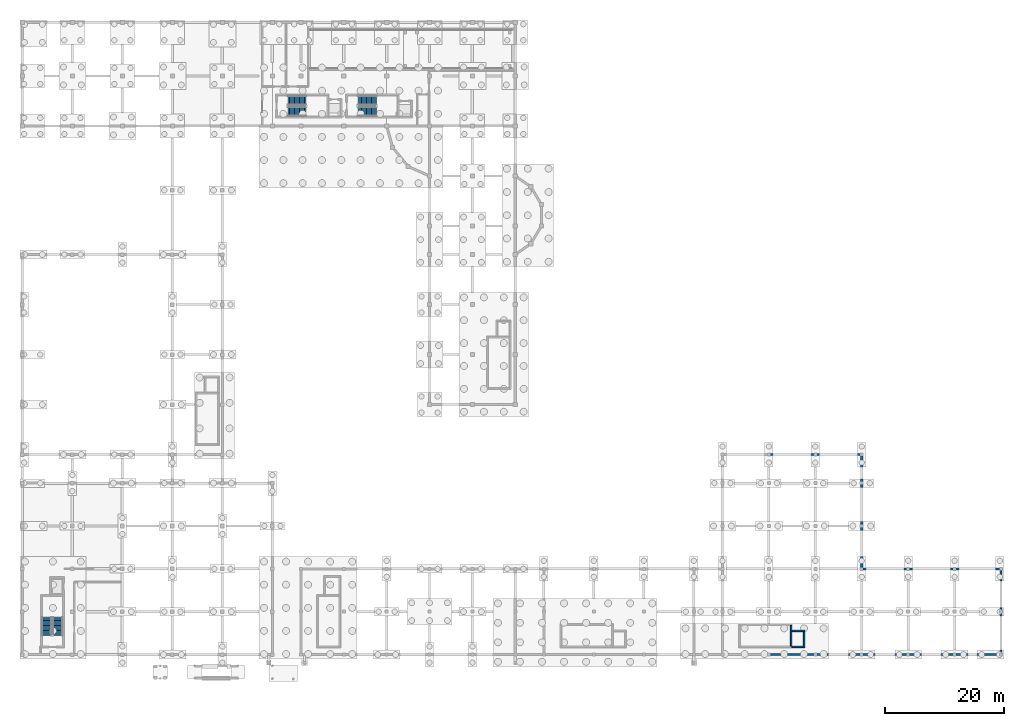
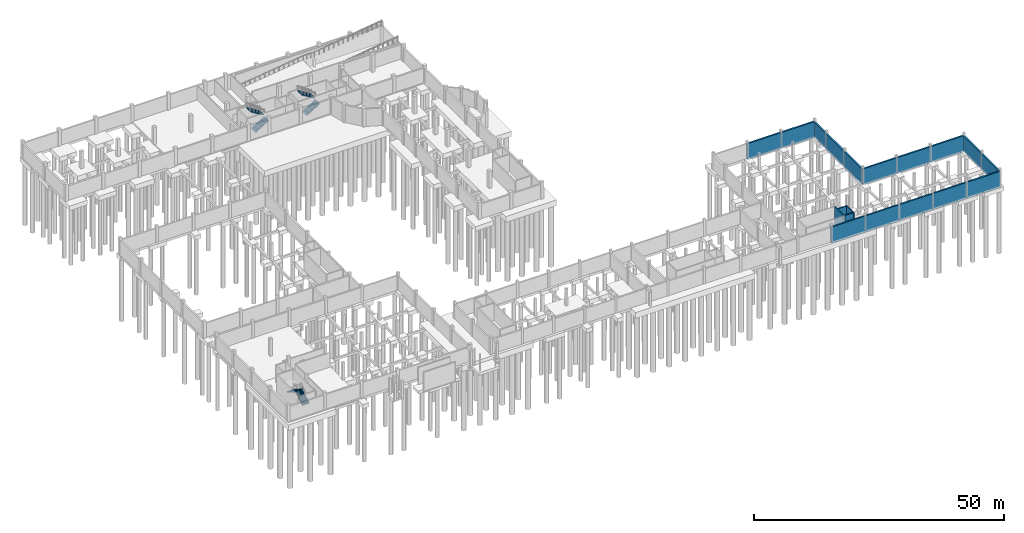
# One storey, part 18 of 22: 19 walls, 6 stair flights, 3 elements without a shape of their own.
"""IFC4 building model written with IfcOpenShell, lengths in metres."""

import ifcopenshell
import ifcopenshell.guid

model = None  # the IFC model being written
_history = None  # IfcOwnerHistory: only IFC2X3 demands one
_inside = {}  # id of a spatial element -> (the spatial element, [elements in it])
_under = {}  # id of a project, library or spatial element -> (it, [spatial elements below it])
_declared = {}  # id of a project -> (the project, [libraries it declares])
_typed = {}  # id of a type object -> (the type object, [elements of that type])
_made_of = {}  # id of a material, layer set ... -> (it, [elements and type objects made of it])


def new_model(schema):
    """Start an empty IFC model of exactly this schema.

    Asked for "IFC4X3", IfcOpenShell would pick the latest addendum, in which some entities
    have other attributes; the version numbers below select the first issue.
    IFC2X3 requires an IfcOwnerHistory on every rooted entity: one is made here for all.
    """
    global model, _history
    if schema == "IFC4X3":
        model = ifcopenshell.file(schema_version=(4, 3, 0, 0))
    else:
        model = ifcopenshell.file(schema=schema)
    _inside.clear()
    _under.clear()
    _declared.clear()
    _typed.clear()
    _made_of.clear()
    _history = None
    if model.schema == "IFC2X3":
        org = make("IfcOrganization", Name="unknown")
        user = make(
            "IfcPersonAndOrganization",
            ThePerson=make("IfcPerson", FamilyName="unknown"),
            TheOrganization=org,
        )
        app = make(
            "IfcApplication",
            ApplicationDeveloper=org,
            Version="unknown",
            ApplicationFullName="unknown",
            ApplicationIdentifier="unknown",
        )
        _history = make(
            "IfcOwnerHistory",
            OwningUser=user,
            OwningApplication=app,
            ChangeAction="ADDED",
            CreationDate=0,
        )
    return model


def make(cls, **values):
    """One entity of the class cls with the attributes given. An attribute that is None is left unset."""
    return model.create_entity(
        cls, **{name: value for name, value in values.items() if value is not None}
    )


def rooted(cls, **values):
    """An entity with a GlobalId (a new one), such as an element, a storey or a relation."""
    return make(cls, GlobalId=ifcopenshell.guid.new(), OwnerHistory=_history, **values)


def si_unit(unit_type, name, prefix=None):
    """IfcSIUnit, for example si_unit("LENGTHUNIT", "METRE", prefix="MILLI")."""
    return make("IfcSIUnit", UnitType=unit_type, Prefix=prefix, Name=name)


def assignment(units):
    """IfcUnitAssignment: the units of a project."""
    return None if units is None else make("IfcUnitAssignment", Units=units)


def point(xyz):
    """IfcCartesianPoint."""
    return None if xyz is None else make("IfcCartesianPoint", Coordinates=xyz)


def direction(xyz):
    """IfcDirection."""
    return None if xyz is None else make("IfcDirection", DirectionRatios=xyz)


def frame(location, z_axis=None, x_axis=None):
    """IfcAxis2Placement3D, a coordinate frame: its origin and axes. An axis left out is left unset."""
    return make(
        "IfcAxis2Placement3D",
        Location=point(location),
        Axis=direction(z_axis),
        RefDirection=direction(x_axis),
    )


def frame_2d(location, x_axis=None):
    """IfcAxis2Placement2D, a coordinate frame in the plane: its origin and x axis."""
    return make(
        "IfcAxis2Placement2D", Location=point(location), RefDirection=direction(x_axis)
    )


def origin():
    """The frame at (0, 0, 0) with its axes left unset."""
    return frame((0.0, 0.0, 0.0))


def place(relative_to, where):
    """IfcLocalPlacement: puts the frame where relative to a parent placement (None: the world)."""
    return make(
        "IfcLocalPlacement", PlacementRelTo=relative_to, RelativePlacement=where
    )


def context(
    kind, dimensions, precision=None, world=None, true_north=None, identifier=None
):
    """IfcGeometricRepresentationContext, for example the 3D "Model" context."""
    return make(
        "IfcGeometricRepresentationContext",
        ContextIdentifier=identifier,
        ContextType=kind,
        CoordinateSpaceDimension=dimensions,
        Precision=precision,
        WorldCoordinateSystem=world,
        TrueNorth=true_north,
    )


def subcontext(parent, identifier, kind, view, scale=None):
    """IfcGeometricRepresentationSubContext, for example "Body" below "Model"."""
    return make(
        "IfcGeometricRepresentationSubContext",
        ContextIdentifier=identifier,
        ContextType=kind,
        ParentContext=parent,
        TargetScale=scale,
        TargetView=view,
    )


def project(units=None, contexts=None):
    """IfcProject with its units and contexts."""
    return rooted(
        "IfcProject",
        Name="project",
        RepresentationContexts=contexts,
        UnitsInContext=assignment(units),
    )


def spatial(cls, under=None, at=None, **own):
    """A site, building, storey or space (cls), placed at a placement, below another one or the project."""
    s = rooted(cls, ObjectPlacement=at, **own)
    if under is not None:
        _under.setdefault(under.id(), (under, []))[1].append(s)
    return s


def polyline(points):
    """IfcPolyline through the points."""
    return make("IfcPolyline", Points=[point(p) for p in points])


def profile(cls, at=None, kind="AREA", **sizes):
    """A parametric profile (cls). Its sizes go by their IFC names, for example OverallWidth=200.0."""
    return make(cls, ProfileType=kind, Position=at, **sizes)


def rectangle(**sizes):
    """IfcRectangleProfileDef."""
    return profile("IfcRectangleProfileDef", **sizes)


def outline(outer, holes=None, kind="AREA"):
    """IfcArbitraryClosedProfileDef: a profile drawn as a closed curve; with holes, ...WithVoids."""
    if holes is None:
        return make("IfcArbitraryClosedProfileDef", ProfileType=kind, OuterCurve=outer)
    return make(
        "IfcArbitraryProfileDefWithVoids",
        ProfileType=kind,
        OuterCurve=outer,
        InnerCurves=holes,
    )


def extrude(swept, where, along, depth):
    """IfcExtrudedAreaSolid: the profile swept, set in the frame where, extruded along a direction by depth."""
    return make(
        "IfcExtrudedAreaSolid",
        SweptArea=swept,
        Position=where,
        ExtrudedDirection=direction(along),
        Depth=depth,
    )


def shape(context_of_items, identifier, shape_type, items):
    """IfcShapeRepresentation: the items that make up one representation, for example the "Body"."""
    return make(
        "IfcShapeRepresentation",
        ContextOfItems=context_of_items,
        RepresentationIdentifier=identifier,
        RepresentationType=shape_type,
        Items=items,
    )


def material(Name=None, Category=None):
    """IfcMaterial."""
    return make("IfcMaterial", Name=Name, Category=Category)


def layer(
    of_material, thickness, ventilated=None, Name=None, Category=None, Priority=None
):
    """IfcMaterialLayer: one layer of a wall or slab, of a material (None: an air gap)."""
    return make(
        "IfcMaterialLayer",
        Material=of_material,
        LayerThickness=thickness,
        IsVentilated=ventilated,
        Name=Name,
        Category=Category,
        Priority=Priority,
    )


def layer_set(layers, Name=None):
    """IfcMaterialLayerSet."""
    return make("IfcMaterialLayerSet", MaterialLayers=layers, LayerSetName=Name)


def made_of(thing, what):
    """Note that an element or type object is made of a material, layer set ...; save() writes the relation."""
    if what is not None:
        _made_of.setdefault(what.id(), (what, []))[1].append(thing)
    return thing


def type_object(cls, material=None, **own):
    """A type object (cls), such as IfcWallType, which elements share."""
    return made_of(rooted(cls, **own), material)


def element(
    cls,
    number,
    at=None,
    inside=None,
    cuts=None,
    type_object=None,
    material=None,
    context=None,
    identifier="Body",
    shape_type=None,
    held_by="IfcProductDefinitionShape",
    body=None,
    shapes=None,
    **own,
):
    """One element of the class cls, such as IfcWall. Its Tag is "e" and its number.

    at: its placement. inside: the storey or other place that contains it. cuts: it is an
    opening in that element (IfcRelVoidsElement). A single representation is given by context,
    identifier, shape_type and body (its items); several are given by shapes. held_by: the class
    of the entity that holds the representations. save() writes the other relations.
    """
    e = rooted(cls, Tag="e%d" % number, ObjectPlacement=at, **own)
    if body is not None:
        shapes = [shape(context, identifier, shape_type, body)]
    if shapes is not None:
        e.Representation = make(held_by, Representations=shapes)
    if inside is not None:
        _inside.setdefault(inside.id(), (inside, []))[1].append(e)
    if cuts is not None:
        rooted(
            "IfcRelVoidsElement", RelatingBuildingElement=cuts, RelatedOpeningElement=e
        )
    if type_object is not None:
        _typed.setdefault(type_object.id(), (type_object, []))[1].append(e)
    return made_of(e, material)


def aggregate(whole, parts):
    """IfcRelAggregates: a whole, such as a stair, and the parts it consists of."""
    return rooted("IfcRelAggregates", RelatingObject=whole, RelatedObjects=parts)


def save(model, path):
    """Write the relations noted so far, then the file.

    IfcRelAggregates (storeys below a building ...), IfcRelContainedInSpatialStructure (elements
    in a storey), IfcRelDefinesByType, IfcRelAssociatesMaterial and IfcRelDeclares: one each for
    every whole, place, type object, material and project.
    """
    for whole, parts in _under.values():
        aggregate(whole, parts)
    for where, things in _inside.values():
        rooted(
            "IfcRelContainedInSpatialStructure",
            RelatedElements=things,
            RelatingStructure=where,
        )
    for kind, things in _typed.values():
        rooted("IfcRelDefinesByType", RelatedObjects=things, RelatingType=kind)
    for what, things in _made_of.values():
        rooted("IfcRelAssociatesMaterial", RelatedObjects=things, RelatingMaterial=what)
    for by, libraries in _declared.values():
        rooted("IfcRelDeclares", RelatingContext=by, RelatedDefinitions=libraries)
    model.write(path)


model = new_model("IFC4")

# Units and contexts
model_context = context("Model", 3, precision=1e-05, world=origin(), true_north=direction((0.0, 1.0)))
body_context = subcontext(model_context, "Body", "Model", "MODEL_VIEW")
ifc_project = project(units=[si_unit("LENGTHUNIT", "METRE"), si_unit("AREAUNIT", "SQUARE_METRE"), si_unit("VOLUMEUNIT", "CUBIC_METRE"), si_unit("PLANEANGLEUNIT", "RADIAN"), si_unit("MASSUNIT", "GRAM", prefix="KILO")], contexts=[model_context])

# Site, building, storey
site_placement = place(None, origin())
site = spatial("IfcSite", under=ifc_project, at=site_placement, CompositionType="ELEMENT")
building_placement = place(site_placement, origin())
building = spatial("IfcBuilding", under=site, at=building_placement, Name="Kahlenmark Community Centre", CompositionType="ELEMENT")
storey_placement = place(building_placement, frame((0.0, 0.0, -4.199951171875)))
storey = spatial("IfcBuildingStorey", under=building, at=storey_placement, Name="B1", CompositionType="ELEMENT", Elevation=-4.199951171875)

# Walls
ifc_material = material(Name="Concrete C35/45", Category="concrete")
ifc_layer_1 = layer(ifc_material, 0.25)
ifc_layer_set_1 = layer_set([ifc_layer_1], Name="Concrete C35/45")
wall_type_1 = type_object("IfcWallType", Name="WT-CORE-250", PredefinedType="SHEAR", material=ifc_layer_set_1)
wall_1_placement = place(storey_placement, frame((133.125, 10.199951171875, -0.400146484375), z_axis=(0.0, 0.0, 1.0), x_axis=(0.0, 1.0, 0.0)))
element("IfcWall", 1, at=wall_1_placement, inside=storey, type_object=wall_type_1, Name="Core K8 shear wall WL-CORE-K8-B1-0284", PredefinedType="SHEAR", context=body_context, shape_type="SweptSolid", body=[
    extrude(rectangle(XDim=3.5, YDim=0.25, at=frame_2d((1.75, 0.0))), origin(), (0.0, 0.0, 1.0), 4.60009765625),
])
wall_2_placement = place(storey_placement, frame((133.25, 12.784912109375, -0.400146484375), z_axis=(0.0, 0.0, 1.0), x_axis=(1.0, 0.0, 0.0)))
element("IfcWall", 2, at=wall_2_placement, inside=storey, type_object=wall_type_1, Name="Core K8 shear wall WL-CORE-K8-B1-0285", PredefinedType="SHEAR", context=body_context, shape_type="SweptSolid", body=[
    extrude(rectangle(XDim=2.2099609375, YDim=0.25, at=frame_2d((1.10498046875, 0.0))), origin(), (0.0, 0.0, 1.0), 4.60009765625),
])
wall_3_placement = place(storey_placement, frame((135.3349609375, 9.949951171875, -0.400146484375), z_axis=(0.0, 0.0, 1.0), x_axis=(0.0, 1.0, 0.0)))
element("IfcWall", 3, at=wall_3_placement, inside=storey, type_object=wall_type_1, Name="Core K8 shear wall WL-CORE-K8-B1-0286", PredefinedType="SHEAR", context=body_context, shape_type="SweptSolid", body=[
    extrude(rectangle(XDim=2.9599609375, YDim=0.25, at=frame_2d((1.47998046875, 0.0))), origin(), (0.0, 0.0, 1.0), 4.60009765625),
])
wall_4_placement = place(storey_placement, frame((133.25, 10.074951171875, -0.400146484375), z_axis=(0.0, 0.0, 1.0), x_axis=(1.0, 0.0, 0.0)))
element("IfcWall", 4, at=wall_4_placement, inside=storey, type_object=wall_type_1, Name="Core K8 shear wall WL-CORE-K8-B1-0287", PredefinedType="SHEAR", context=body_context, shape_type="SweptSolid", body=[
    extrude(rectangle(XDim=1.9599609375, YDim=0.25, at=frame_2d((0.97998046875, 0.0))), origin(), (0.0, 0.0, 1.0), 4.60009765625),
])
ifc_layer_2 = layer(ifc_material, 0.360107421875)
ifc_layer_set_2 = layer_set([ifc_layer_2], Name="Concrete C35/45")
wall_type_2 = type_object("IfcWallType", Name="WT-EW-B1-360", PredefinedType="SOLIDWALL", material=ifc_layer_set_2)
for number, where, z_axis, x_axis, name in (
    (5, (129.39990234375, 8.800048828125, -0.400146484375), (0.0, 0.0, 1.0), (1.0, 0.0, 0.0), "B1 foundation wall 0100"),
    (6, (137.199951171875, 8.800048828125, -0.400146484375), (0.0, 0.0, 1.0), (1.0, 0.0, 0.0), "B1 foundation wall 0101"),
    (7, (145.0, 8.800048828125, -0.400146484375), (0.0, 0.0, 1.0), (1.0, 0.0, 0.0), "B1 foundation wall 0102"),
    (8, (152.800048828125, 8.800048828125, -0.400146484375), (0.0, 0.0, 1.0), (1.0, 0.0, 0.0), "B1 foundation wall 0103"),
):
    element("IfcWall", number, at=place(storey_placement, frame(where, z_axis=z_axis, x_axis=x_axis)), inside=storey, type_object=wall_type_2, Name=name, PredefinedType="SOLIDWALL", context=body_context, shape_type="SweptSolid", body=[
        extrude(rectangle(XDim=7.800048828125, YDim=0.360107421875, at=frame_2d((3.89990234375, 0.0))), origin(), (0.0, 0.0, 1.0), 3.940185546875),
    ])
wall_5_placement = place(storey_placement, frame((160.60009765625, 8.800048828125, -0.400146484375), z_axis=(0.0, 0.0, 1.0), x_axis=(1.0, 0.0, 0.0)))
element("IfcWall", 9, at=wall_5_placement, inside=storey, type_object=wall_type_2, Name="B1 foundation wall 0104", PredefinedType="SOLIDWALL", context=body_context, shape_type="SweptSolid", body=[
    extrude(rectangle(XDim=7.7998046875, YDim=0.360107421875, at=frame_2d((3.89990234375, 0.0))), origin(), (0.0, 0.0, 1.0), 3.940185546875),
])
for number, where, z_axis, x_axis, name in (
    (10, (145.0, 23.199951171875, -0.400146484375), (0.0, 0.0, 1.0), (1.0, 0.0, 0.0), "B1 foundation wall 0105"),
    (11, (152.800048828125, 23.199951171875, -0.400146484375), (0.0, 0.0, 1.0), (1.0, 0.0, 0.0), "B1 foundation wall 0106"),
):
    element("IfcWall", number, at=place(storey_placement, frame(where, z_axis=z_axis, x_axis=x_axis)), inside=storey, type_object=wall_type_2, Name=name, PredefinedType="SOLIDWALL", context=body_context, shape_type="SweptSolid", body=[
        extrude(rectangle(XDim=7.800048828125, YDim=0.360107421875, at=frame_2d((3.89990234375, 0.0))), origin(), (0.0, 0.0, 1.0), 3.940185546875),
    ])
wall_6_placement = place(storey_placement, frame((160.60009765625, 23.199951171875, -0.400146484375), z_axis=(0.0, 0.0, 1.0), x_axis=(1.0, 0.0, 0.0)))
element("IfcWall", 12, at=wall_6_placement, inside=storey, type_object=wall_type_2, Name="B1 foundation wall 0107", PredefinedType="SOLIDWALL", context=body_context, shape_type="SweptSolid", body=[
    extrude(rectangle(XDim=7.7998046875, YDim=0.360107421875, at=frame_2d((3.89990234375, 0.0))), origin(), (0.0, 0.0, 1.0), 3.940185546875),
])
for number, where, z_axis, x_axis, name in (
    (13, (168.39990234375, 8.800048828125, -0.400146484375), (0.0, 0.0, 1.0), (0.0, 1.0, 0.0), "B1 foundation wall 0110"),
    (14, (168.39990234375, 16.0, -0.400146484375), (0.0, 0.0, 1.0), (0.0, 1.0, 0.0), "B1 foundation wall 0111"),
):
    element("IfcWall", number, at=place(storey_placement, frame(where, z_axis=z_axis, x_axis=x_axis)), inside=storey, type_object=wall_type_2, Name=name, PredefinedType="SOLIDWALL", context=body_context, shape_type="SweptSolid", body=[
        extrude(rectangle(XDim=7.199951171875, YDim=0.360107421875, at=frame_2d((3.60009765625, 0.0))), origin(), (0.0, 0.0, 1.0), 3.840087890625),
    ])
for number, where, z_axis, x_axis, name in (
    (15, (129.39990234375, 42.39990234375, -0.400146484375), (0.0, 0.0, 1.0), (1.0, 0.0, 0.0), "B1 foundation wall 0113"),
    (16, (137.199951171875, 42.39990234375, -0.400146484375), (0.0, 0.0, 1.0), (1.0, 0.0, 0.0), "B1 foundation wall 0114"),
):
    element("IfcWall", number, at=place(storey_placement, frame(where, z_axis=z_axis, x_axis=x_axis)), inside=storey, type_object=wall_type_2, Name=name, PredefinedType="SOLIDWALL", context=body_context, shape_type="SweptSolid", body=[
        extrude(rectangle(XDim=7.800048828125, YDim=0.360107421875, at=frame_2d((3.89990234375, 0.0))), origin(), (0.0, 0.0, 1.0), 3.940185546875),
    ])
wall_7_placement = place(storey_placement, frame((145.0, 23.199951171875, -0.400146484375), z_axis=(0.0, 0.0, 1.0), x_axis=(0.0, 1.0, 0.0)))
element("IfcWall", 17, at=wall_7_placement, inside=storey, type_object=wall_type_2, Name="B1 foundation wall 0118", PredefinedType="SOLIDWALL", context=body_context, shape_type="SweptSolid", body=[
    extrude(rectangle(XDim=7.199951171875, YDim=0.360107421875, at=frame_2d((3.60009765625, 0.0))), origin(), (0.0, 0.0, 1.0), 3.840087890625),
])
wall_8_placement = place(storey_placement, frame((145.0, 30.39990234375, -0.400146484375), z_axis=(0.0, 0.0, 1.0), x_axis=(0.0, 1.0, 0.0)))
element("IfcWall", 18, at=wall_8_placement, inside=storey, type_object=wall_type_2, Name="B1 foundation wall 0119", PredefinedType="SOLIDWALL", context=body_context, shape_type="SweptSolid", body=[
    extrude(rectangle(XDim=7.2001953125, YDim=0.360107421875, at=frame_2d((3.60009765625, 0.0))), origin(), (0.0, 0.0, 1.0), 3.840087890625),
])
wall_9_placement = place(storey_placement, frame((145.0, 37.60009765625, -0.400146484375), z_axis=(0.0, 0.0, 1.0), x_axis=(0.0, 1.0, 0.0)))
element("IfcWall", 19, at=wall_9_placement, inside=storey, type_object=wall_type_2, Name="B1 foundation wall 0120", PredefinedType="SOLIDWALL", context=body_context, shape_type="SweptSolid", body=[
    extrude(rectangle(XDim=4.7998046875, YDim=0.360107421875, at=frame_2d((2.39990234375, 0.0))), origin(), (0.0, 0.0, 1.0), 3.840087890625),
])

# Stair, stair flights
stair_type_1 = type_object("IfcStairType", Name="STT-CORE-ST-01-175", PredefinedType="HALF_TURN_STAIR", material=ifc_material)
stair_1_placement = place(storey_placement, origin())
stair_1 = element("IfcStair", 20, at=stair_1_placement, inside=storey, type_object=stair_type_1, Name="B1 Core K1 Escape Stair ST-01", PredefinedType="HALF_TURN_STAIR")
stair_flight_type_1 = type_object("IfcStairFlightType", Name="SFT-CORE-ST-01-175", PredefinedType="STRAIGHT", material=ifc_material)
stair_flight_1_placement = place(storey_placement, frame((9.97509765625, 12.0, 0.0), z_axis=(0.0, 0.0, 1.0), x_axis=(0.0, 1.0, 0.0)))
stair_flight_1 = element("IfcStairFlight", 21, at=stair_flight_1_placement, type_object=stair_flight_type_1, Name="ST-01 flight 1", NumberOfRisers=12, NumberOfTreads=11, PredefinedType="STRAIGHT", RiserHeight=0.175, TreadLength=0.28, context=body_context, shape_type="SweptSolid", body=[
    extrude(outline(polyline([(0.0, 0.0), (0.0, 0.175048828125), (0.280029296875, 0.175048828125), (0.280029296875, 0.35009765625), (0.56005859375, 0.35009765625), (0.56005859375, 0.52490234375), (0.840087890625, 0.52490234375), (0.840087890625, 0.699951171875), (1.1201171875, 0.699951171875), (1.1201171875, 0.875), (1.39990234375, 0.875), (1.39990234375, 1.050048828125), (1.679931640625, 1.050048828125), (1.679931640625, 1.22509765625), (1.9599609375, 1.22509765625), (1.9599609375, 1.39990234375), (2.239990234375, 1.39990234375), (2.239990234375, 1.574951171875), (2.52001953125, 1.574951171875), (2.52001953125, 1.75), (2.800048828125, 1.75), (2.800048828125, 1.925048828125), (3.080078125, 1.925048828125), (3.080078125, 2.10009765625), (3.080078125, 1.748291015625), (0.28271484375, 0.0), (0.0, 0.0)])), frame((0.0, 0.824951171875, 0.0), z_axis=(0.0, -1.0, 0.0), x_axis=(1.0, 0.0, 0.0)), (0.0, 0.0, 1.0), 1.64990234375),
])
stair_flight_2_placement = place(storey_placement, frame((8.125, 15.080078125, 2.099853515625), z_axis=(0.0, 0.0, 1.0), x_axis=(0.0, -1.0, 0.0)))
stair_flight_2 = element("IfcStairFlight", 22, at=stair_flight_2_placement, type_object=stair_flight_type_1, Name="ST-01 flight 2", NumberOfRisers=12, NumberOfTreads=11, PredefinedType="STRAIGHT", RiserHeight=0.175, TreadLength=0.28, context=body_context, shape_type="SweptSolid", body=[
    extrude(outline(polyline([(0.0, 0.0), (0.0, 0.175048828125), (0.280029296875, 0.175048828125), (0.280029296875, 0.35009765625), (0.56005859375, 0.35009765625), (0.56005859375, 0.52490234375), (0.840087890625, 0.52490234375), (0.840087890625, 0.699951171875), (1.1201171875, 0.699951171875), (1.1201171875, 0.875), (1.39990234375, 0.875), (1.39990234375, 1.050048828125), (1.679931640625, 1.050048828125), (1.679931640625, 1.22509765625), (1.9599609375, 1.22509765625), (1.9599609375, 1.39990234375), (2.239990234375, 1.39990234375), (2.239990234375, 1.574951171875), (2.52001953125, 1.574951171875), (2.52001953125, 1.75), (2.800048828125, 1.75), (2.800048828125, 1.925048828125), (3.080078125, 1.925048828125), (3.080078125, 2.10009765625), (3.080078125, 1.748291015625), (0.28271484375, 0.0), (0.0, 0.0)])), frame((0.0, 0.824951171875, 0.0), z_axis=(0.0, -1.0, 0.0), x_axis=(1.0, 0.0, 0.0)), (0.0, 0.0, 1.0), 1.64990234375),
])
aggregate(stair_1, [stair_flight_1, stair_flight_2])

stair_type_2 = type_object("IfcStairType", Name="STT-CORE-ST-04-175", PredefinedType="HALF_TURN_STAIR", material=ifc_material)
stair_2_placement = place(storey_placement, origin())
stair_2 = element("IfcStair", 23, at=stair_2_placement, inside=storey, type_object=stair_type_2, Name="B1 Core K4 Escape Stair ST-04", PredefinedType="HALF_TURN_STAIR")
stair_flight_type_2 = type_object("IfcStairFlightType", Name="SFT-CORE-ST-04-175", PredefinedType="STRAIGHT", material=ifc_material)
stair_flight_3_placement = place(storey_placement, frame((48.60009765625, 100.02490234375, 0.0), z_axis=(0.0, 0.0, 1.0), x_axis=(1.0, 0.0, 0.0)))
stair_flight_3 = element("IfcStairFlight", 24, at=stair_flight_3_placement, type_object=stair_flight_type_2, Name="ST-04 flight 1", NumberOfRisers=12, NumberOfTreads=11, PredefinedType="STRAIGHT", RiserHeight=0.175, TreadLength=0.28, context=body_context, shape_type="SweptSolid", body=[
    extrude(outline(polyline([(0.0, 0.0), (0.0, 0.175048828125), (0.280029296875, 0.175048828125), (0.280029296875, 0.35009765625), (0.56005859375, 0.35009765625), (0.56005859375, 0.52490234375), (0.840087890625, 0.52490234375), (0.840087890625, 0.699951171875), (1.1201171875, 0.699951171875), (1.1201171875, 0.875), (1.39990234375, 0.875), (1.39990234375, 1.050048828125), (1.679931640625, 1.050048828125), (1.679931640625, 1.22509765625), (1.9599609375, 1.22509765625), (1.9599609375, 1.39990234375), (2.239990234375, 1.39990234375), (2.239990234375, 1.574951171875), (2.52001953125, 1.574951171875), (2.52001953125, 1.75), (2.800048828125, 1.75), (2.800048828125, 1.925048828125), (3.080078125, 1.925048828125), (3.080078125, 2.10009765625), (3.080078125, 1.748291015625), (0.28271484375, 0.0), (0.0, 0.0)])), frame((0.0, 0.824951171875, 0.0), z_axis=(0.0, -1.0, 0.0), x_axis=(1.0, 0.0, 0.0)), (0.0, 0.0, 1.0), 1.64990234375),
])
stair_flight_4_placement = place(storey_placement, frame((51.679931640625, 101.875, 2.099853515625), z_axis=(0.0, 0.0, 1.0), x_axis=(-1.0, 0.0, 0.0)))
stair_flight_4 = element("IfcStairFlight", 25, at=stair_flight_4_placement, type_object=stair_flight_type_2, Name="ST-04 flight 2", NumberOfRisers=12, NumberOfTreads=11, PredefinedType="STRAIGHT", RiserHeight=0.175, TreadLength=0.28, context=body_context, shape_type="SweptSolid", body=[
    extrude(outline(polyline([(0.0, 0.0), (0.0, 0.175048828125), (0.280029296875, 0.175048828125), (0.280029296875, 0.35009765625), (0.56005859375, 0.35009765625), (0.56005859375, 0.52490234375), (0.840087890625, 0.52490234375), (0.840087890625, 0.699951171875), (1.1201171875, 0.699951171875), (1.1201171875, 0.875), (1.39990234375, 0.875), (1.39990234375, 1.050048828125), (1.679931640625, 1.050048828125), (1.679931640625, 1.22509765625), (1.9599609375, 1.22509765625), (1.9599609375, 1.39990234375), (2.239990234375, 1.39990234375), (2.239990234375, 1.574951171875), (2.52001953125, 1.574951171875), (2.52001953125, 1.75), (2.800048828125, 1.75), (2.800048828125, 1.925048828125), (3.080078125, 1.925048828125), (3.080078125, 2.10009765625), (3.080078125, 1.748291015625), (0.28271484375, 0.0), (0.0, 0.0)])), frame((0.0, 0.824951171875, 0.0), z_axis=(0.0, -1.0, 0.0), x_axis=(1.0, 0.0, 0.0)), (0.0, 0.0, 1.0), 1.64990234375),
])
aggregate(stair_2, [stair_flight_3, stair_flight_4])

stair_type_3 = type_object("IfcStairType", Name="STT-CORE-ST-05-175", PredefinedType="HALF_TURN_STAIR", material=ifc_material)
stair_3_placement = place(storey_placement, origin())
stair_3 = element("IfcStair", 26, at=stair_3_placement, inside=storey, type_object=stair_type_3, Name="B1 Core K5 Escape Stair ST-05", PredefinedType="HALF_TURN_STAIR")
stair_flight_type_3 = type_object("IfcStairFlightType", Name="SFT-CORE-ST-05-175", PredefinedType="STRAIGHT", material=ifc_material)
stair_flight_5_placement = place(storey_placement, frame((60.39990234375, 100.02490234375, 0.0), z_axis=(0.0, 0.0, 1.0), x_axis=(1.0, 0.0, 0.0)))
stair_flight_5 = element("IfcStairFlight", 27, at=stair_flight_5_placement, type_object=stair_flight_type_3, Name="ST-05 flight 1", NumberOfRisers=12, NumberOfTreads=11, PredefinedType="STRAIGHT", RiserHeight=0.175, TreadLength=0.28, context=body_context, shape_type="SweptSolid", body=[
    extrude(outline(polyline([(0.0, 0.0), (0.0, 0.175048828125), (0.280029296875, 0.175048828125), (0.280029296875, 0.35009765625), (0.56005859375, 0.35009765625), (0.56005859375, 0.52490234375), (0.840087890625, 0.52490234375), (0.840087890625, 0.699951171875), (1.1201171875, 0.699951171875), (1.1201171875, 0.875), (1.39990234375, 0.875), (1.39990234375, 1.050048828125), (1.679931640625, 1.050048828125), (1.679931640625, 1.22509765625), (1.9599609375, 1.22509765625), (1.9599609375, 1.39990234375), (2.239990234375, 1.39990234375), (2.239990234375, 1.574951171875), (2.52001953125, 1.574951171875), (2.52001953125, 1.75), (2.800048828125, 1.75), (2.800048828125, 1.925048828125), (3.080078125, 1.925048828125), (3.080078125, 2.10009765625), (3.080078125, 1.748291015625), (0.28271484375, 0.0), (0.0, 0.0)])), frame((0.0, 0.824951171875, 0.0), z_axis=(0.0, -1.0, 0.0), x_axis=(1.0, 0.0, 0.0)), (0.0, 0.0, 1.0), 1.64990234375),
])
stair_flight_6_placement = place(storey_placement, frame((63.47998046875, 101.875, 2.099853515625), z_axis=(0.0, 0.0, 1.0), x_axis=(-1.0, 0.0, 0.0)))
stair_flight_6 = element("IfcStairFlight", 28, at=stair_flight_6_placement, type_object=stair_flight_type_3, Name="ST-05 flight 2", NumberOfRisers=12, NumberOfTreads=11, PredefinedType="STRAIGHT", RiserHeight=0.175, TreadLength=0.28, context=body_context, shape_type="SweptSolid", body=[
    extrude(outline(polyline([(0.0, 0.0), (0.0, 0.175048828125), (0.280029296875, 0.175048828125), (0.280029296875, 0.35009765625), (0.56005859375, 0.35009765625), (0.56005859375, 0.52490234375), (0.840087890625, 0.52490234375), (0.840087890625, 0.699951171875), (1.1201171875, 0.699951171875), (1.1201171875, 0.875), (1.39990234375, 0.875), (1.39990234375, 1.050048828125), (1.679931640625, 1.050048828125), (1.679931640625, 1.22509765625), (1.9599609375, 1.22509765625), (1.9599609375, 1.39990234375), (2.239990234375, 1.39990234375), (2.239990234375, 1.574951171875), (2.52001953125, 1.574951171875), (2.52001953125, 1.75), (2.800048828125, 1.75), (2.800048828125, 1.925048828125), (3.080078125, 1.925048828125), (3.080078125, 2.10009765625), (3.080078125, 1.748291015625), (0.28271484375, 0.0), (0.0, 0.0)])), frame((0.0, 0.824951171875, 0.0), z_axis=(0.0, -1.0, 0.0), x_axis=(1.0, 0.0, 0.0)), (0.0, 0.0, 1.0), 1.64990234375),
])
aggregate(stair_3, [stair_flight_5, stair_flight_6])

save(model, "model.ifc")
